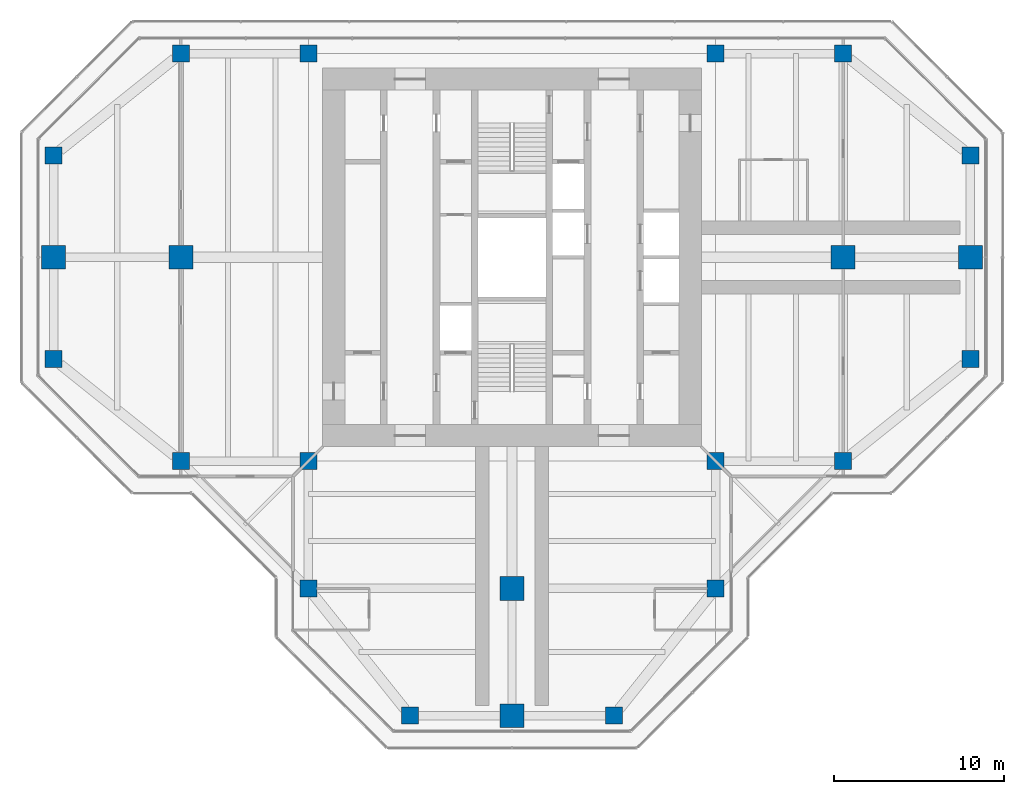
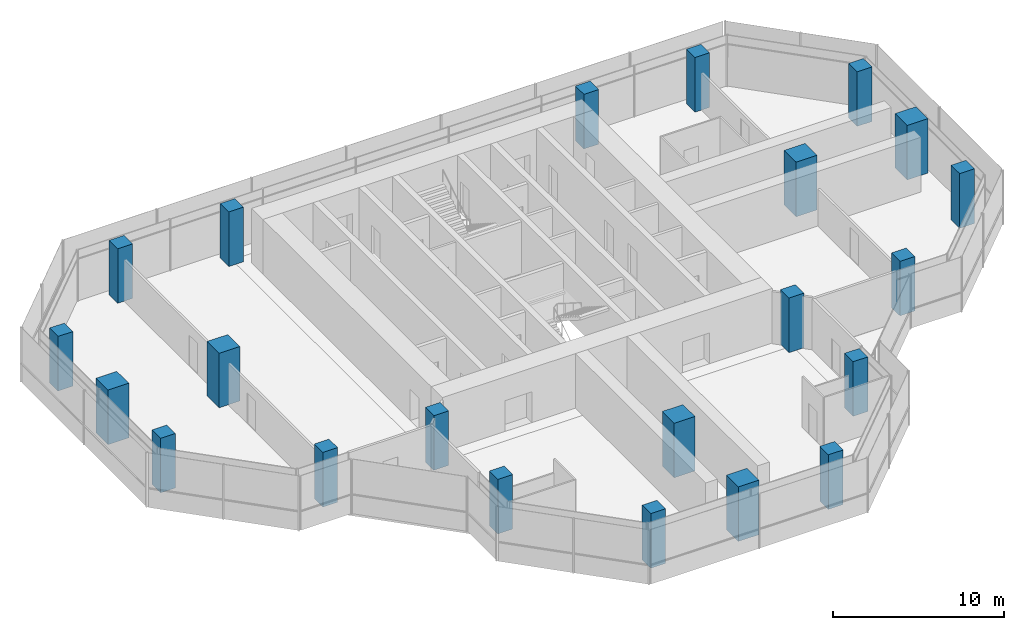
# One storey, part 1 of 15: 22 columns.
"""IFC4 building model written with IfcOpenShell, lengths in metres."""

from ifc_helpers import new_model, si_unit, direction, frame, origin, origin_2d, place, context, subcontext, project, spatial, rectangle, extrude, material, material_profile, profile_set, type_object, element, save


model = new_model("IFC4")

# Units and contexts
model_context = context("Model", 3, precision=1e-05, world=origin(), true_north=direction((0.0, 1.0)))
body_context = subcontext(model_context, "Body", "Model", "MODEL_VIEW")
ifc_project = project(units=[si_unit("LENGTHUNIT", "METRE"), si_unit("AREAUNIT", "SQUARE_METRE"), si_unit("VOLUMEUNIT", "CUBIC_METRE"), si_unit("PLANEANGLEUNIT", "RADIAN"), si_unit("MASSUNIT", "GRAM", prefix="KILO")], contexts=[model_context])

# Site, building, storey
site_placement = place(None, origin())
site = spatial("IfcSite", under=ifc_project, at=site_placement, CompositionType="ELEMENT")
building_placement = place(site_placement, origin())
building = spatial("IfcBuilding", under=site, at=building_placement, Name="Mizan Broadcast Tower", CompositionType="ELEMENT")
storey_placement = place(building_placement, frame((0.0, 0.0, 302.39990234375)))
storey = spatial("IfcBuildingStorey", under=building, at=storey_placement, Name="L72", CompositionType="ELEMENT", Elevation=302.39990234375)

# Columns
ifc_material_1 = material(Name="Concrete C70/85", Category="concrete")
ifc_material_profile_1 = material_profile(ifc_material_1, rectangle(XDim=1.0, YDim=1.0, at=origin_2d()), Name="RC 1000x1000")
ifc_profile_set_1 = profile_set([ifc_material_profile_1], Name="Concrete C70/85")
column_type_1 = type_object("IfcColumnType", Name="RC COLUMN 1000x1000 C70/85", PredefinedType="COLUMN", material=ifc_profile_set_1)
for number, where, z_axis, x_axis, name in (
    (1, (-6.0, -27.0, 0.0), (0.0, 0.0, 1.0), (1.0, 0.0, 0.0), "Column 5/B L72"),
    (2, (6.0, -27.0, 0.0), (0.0, 0.0, 1.0), (1.0, 0.0, 0.0), "Column 7/B L72"),
    (3, (-12.0, -19.5, 0.0), (0.0, 0.0, 1.0), (1.0, 0.0, 0.0), "Column 4/C L72"),
    (4, (12.0, -19.5, 0.0), (0.0, 0.0, 1.0), (1.0, 0.0, 0.0), "Column 8/C L72"),
    (5, (-19.5, -12.0, 0.0), (0.0, 0.0, 1.0), (1.0, 0.0, 0.0), "Column 3/D L72"),
    (6, (-12.0, -12.0, 0.0), (0.0, 0.0, 1.0), (1.0, 0.0, 0.0), "Column 4/D L72"),
    (7, (12.0, -12.0, 0.0), (0.0, 0.0, 1.0), (1.0, 0.0, 0.0), "Column 8/D L72"),
    (8, (19.5, -12.0, 0.0), (0.0, 0.0, 1.0), (1.0, 0.0, 0.0), "Column 9/D L72"),
    (9, (-27.0, -6.0, 0.0), (0.0, 0.0, 1.0), (1.0, 0.0, 0.0), "Column 2/E L72"),
    (10, (27.0, -6.0, 0.0), (0.0, 0.0, 1.0), (1.0, 0.0, 0.0), "Column 10/E L72"),
    (11, (-27.0, 6.0, 0.0), (0.0, 0.0, 1.0), (1.0, 0.0, 0.0), "Column 2/G L72"),
    (12, (27.0, 6.0, 0.0), (0.0, 0.0, 1.0), (1.0, 0.0, 0.0), "Column 10/G L72"),
    (13, (-19.5, 12.0, 0.0), (0.0, 0.0, 1.0), (1.0, 0.0, 0.0), "Column 3/H L72"),
    (14, (-12.0, 12.0, 0.0), (0.0, 0.0, 1.0), (1.0, 0.0, 0.0), "Column 4/H L72"),
    (15, (12.0, 12.0, 0.0), (0.0, 0.0, 1.0), (1.0, 0.0, 0.0), "Column 8/H L72"),
    (16, (19.5, 12.0, 0.0), (0.0, 0.0, 1.0), (1.0, 0.0, 0.0), "Column 9/H L72"),
):
    element("IfcColumn", number, at=place(storey_placement, frame(where, z_axis=z_axis, x_axis=x_axis)), inside=storey, type_object=column_type_1, Name=name, PredefinedType="COLUMN", context=body_context, shape_type="SweptSolid", body=[
        extrude(rectangle(XDim=1.0, YDim=1.0, at=origin_2d()), origin(), (0.0, 0.0, 1.0), 3.900146484375),
    ])
ifc_material_2 = material(Name="Concrete C70/85", Category="concrete")
ifc_material_profile_2 = material_profile(ifc_material_2, rectangle(XDim=1.39990234375, YDim=1.39990234375, at=origin_2d()), Name="RC 1400x1400")
ifc_profile_set_2 = profile_set([ifc_material_profile_2], Name="Concrete C70/85")
column_type_2 = type_object("IfcColumnType", Name="RC COLUMN 1400x1400 C70/85", PredefinedType="COLUMN", material=ifc_profile_set_2)
for number, where, z_axis, x_axis, name in (
    (17, (0.0, -27.0, 0.0), (0.0, 0.0, 1.0), (1.0, 0.0, 0.0), "Column 6/B L72"),
    (18, (0.0, -19.5, 0.0), (0.0, 0.0, 1.0), (1.0, 0.0, 0.0), "Column 6/C L72"),
    (19, (-27.0, 0.0, 0.0), (0.0, 0.0, 1.0), (1.0, 0.0, 0.0), "Column 2/F L72"),
    (20, (-19.5, 0.0, 0.0), (0.0, 0.0, 1.0), (1.0, 0.0, 0.0), "Column 3/F L72"),
    (21, (19.5, 0.0, 0.0), (0.0, 0.0, 1.0), (1.0, 0.0, 0.0), "Column 9/F L72"),
    (22, (27.0, 0.0, 0.0), (0.0, 0.0, 1.0), (1.0, 0.0, 0.0), "Column 10/F L72"),
):
    element("IfcColumn", number, at=place(storey_placement, frame(where, z_axis=z_axis, x_axis=x_axis)), inside=storey, type_object=column_type_2, Name=name, PredefinedType="COLUMN", context=body_context, shape_type="SweptSolid", body=[
        extrude(rectangle(XDim=1.39990234375, YDim=1.39990234375, at=origin_2d()), origin(), (0.0, 0.0, 1.0), 3.900146484375),
    ])

save(model, "model.ifc")
